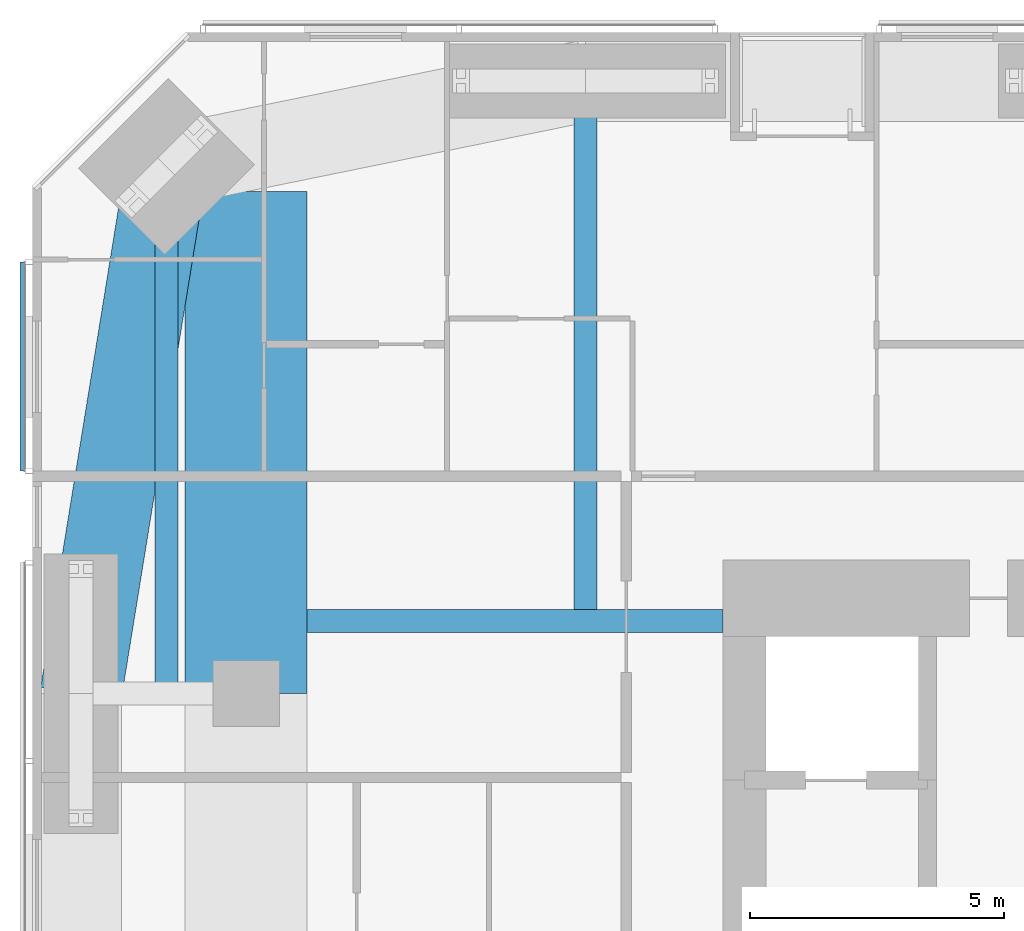
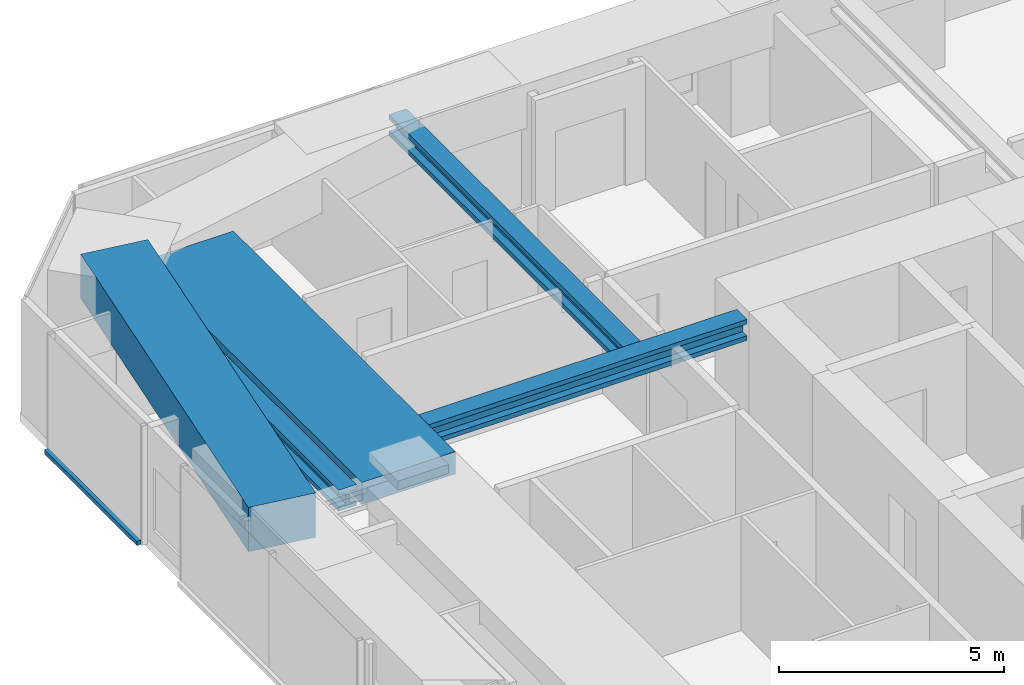
# One storey, part 7 of 24: 5 beams, 1 member, 1 element without a shape of its own.
"""IFC4 building model written with IfcOpenShell, lengths in metres."""

from ifc_helpers import new_model, si_unit, direction, frame, origin, origin_2d, place, context, subcontext, project, spatial, rectangle, i_section, extrude, material, material_profile, profile_set, type_object, element, aggregate, save


model = new_model("IFC4")

# Units and contexts
model_context = context("Model", 3, precision=1e-05, world=origin(), true_north=direction((0.0, 1.0)))
body_context = subcontext(model_context, "Body", "Model", "MODEL_VIEW")
ifc_project = project(units=[si_unit("LENGTHUNIT", "METRE"), si_unit("AREAUNIT", "SQUARE_METRE"), si_unit("VOLUMEUNIT", "CUBIC_METRE"), si_unit("PLANEANGLEUNIT", "RADIAN"), si_unit("MASSUNIT", "GRAM", prefix="KILO")], contexts=[model_context])

# Site, building, storey
site_placement = place(None, origin())
site = spatial("IfcSite", under=ifc_project, at=site_placement, CompositionType="ELEMENT")
building_placement = place(site_placement, origin())
building = spatial("IfcBuilding", under=site, at=building_placement, Name="Jalousie Tower", CompositionType="ELEMENT")
storey_placement = place(building_placement, frame((0.0, 0.0, 131.64990234375)))
storey = spatial("IfcBuildingStorey", under=building, at=storey_placement, Name="L36", CompositionType="ELEMENT", Elevation=131.64990234375)

# Beams
ifc_material_1 = material(Name="Steel ASTM A992 Grade 50", Category="steel")
ifc_material_profile_1 = material_profile(ifc_material_1, i_section(OverallWidth=0.45458984375, OverallDepth=0.569091796875, WebThickness=0.077880859375, FlangeThickness=0.124755859375, at=origin_2d()), Name="W14X730")
ifc_profile_set_1 = profile_set([ifc_material_profile_1], Name="Steel ASTM A992 Grade 50")
beam_type_1 = type_object("IfcBeamType", Name="LEAN COLLECTOR W14X730", PredefinedType="BEAM", material=ifc_profile_set_1)
beam_1_placement = place(storey_placement, frame((11.39990234375, 26.425048828125, 2.82568359375), z_axis=(1.0, 0.0, 0.0), x_axis=(0.0, 1.0, 0.0)))
element("IfcBeam", 1, at=beam_1_placement, inside=storey, type_object=beam_type_1, Name="Lean collector under L37", PredefinedType="BEAM", context=body_context, shape_type="SweptSolid", body=[
    extrude(i_section(OverallWidth=0.45458984375, OverallDepth=0.569091796875, WebThickness=0.077880859375, FlangeThickness=0.124755859375, at=origin_2d()), origin(), (0.0, 0.0, 1.0), 8.175048828125),
])
beam_2_placement = place(storey_placement, frame((8.63134765625, 35.36865234375, 2.82568359375), z_axis=(0.0, -1.0, 0.0), x_axis=(1.0, 0.0, 0.0)))
element("IfcBeam", 2, at=beam_2_placement, inside=storey, type_object=beam_type_1, Name="Lean collector under L37", PredefinedType="BEAM", context=body_context, shape_type="SweptSolid", body=[
    extrude(i_section(OverallWidth=0.45458984375, OverallDepth=0.569091796875, WebThickness=0.077880859375, FlangeThickness=0.124755859375, at=origin_2d()), origin(), (0.0, 0.0, 1.0), 10.36865234375),
])
beam_3_placement = place(storey_placement, frame((16.875, 37.050048828125, 2.82568359375), z_axis=(0.0, -1.0, 0.0), x_axis=(1.0, 0.0, 0.0)))
element("IfcBeam", 3, at=beam_3_placement, inside=storey, type_object=beam_type_1, Name="Lean collector under L37", PredefinedType="BEAM", context=body_context, shape_type="SweptSolid", body=[
    extrude(i_section(OverallWidth=0.45458984375, OverallDepth=0.569091796875, WebThickness=0.077880859375, FlangeThickness=0.124755859375, at=origin_2d()), origin(), (0.0, 0.0, 1.0), 10.625),
])
ifc_material_2 = material(Name="Concrete f'c 40 MPa", Category="concrete")
ifc_material_profile_2 = material_profile(ifc_material_2, rectangle(XDim=1.60009765625, YDim=1.199951171875, at=origin_2d()), Name="RC 1600x1200")
ifc_profile_set_2 = profile_set([ifc_material_profile_2], Name="Concrete f'c 40 MPa")
beam_type_2 = type_object("IfcBeamType", Name="RC BEAM 1600x1200", PredefinedType="BEAM", material=ifc_profile_set_2)
beam_4_placement = place(storey_placement, frame((8.63134765625, 35.36865234375, 2.75), z_axis=(-0.160070546476, -0.987105577003, 0.0), x_axis=(0.987105577003, -0.160070546476, 0.0)))
element("IfcBeam", 4, at=beam_4_placement, inside=storey, type_object=beam_type_2, Name="Edge band beam 12-13 under L37", PredefinedType="BEAM", context=body_context, shape_type="SweptSolid", body=[
    extrude(rectangle(XDim=1.60009765625, YDim=1.199951171875, at=origin_2d()), origin(), (0.0, 0.0, 1.0), 10.504150390625),
])
ifc_material_3 = material(Name="Concrete f'c 40 MPa", Category="concrete")
ifc_material_profile_3 = material_profile(ifc_material_3, rectangle(XDim=2.39990234375, YDim=0.60009765625, at=origin_2d()), Name="RC 2400x600")
ifc_profile_set_3 = profile_set([ifc_material_profile_3], Name="Concrete f'c 40 MPa")
beam_type_3 = type_object("IfcBeamType", Name="RC BEAM 2400x600", PredefinedType="BEAM", material=ifc_profile_set_3)
beam_5_placement = place(storey_placement, frame((10.199951171875, 25.0, 2.81005859375), z_axis=(0.0, 1.0, 0.0), x_axis=(-1.0, 0.0, 0.0)))
element("IfcBeam", 5, at=beam_5_placement, inside=storey, type_object=beam_type_3, Name="Floor band beam under L37", PredefinedType="BEAM", context=body_context, shape_type="SweptSolid", body=[
    extrude(rectangle(XDim=2.39990234375, YDim=0.60009765625, at=origin_2d()), origin(), (0.0, 0.0, 1.0), 9.8720703125),
])

# Curtain wall, member
ifc_material_4 = material(Name="Perforated aluminium sheet", Category="aluminium")
curtain_wall_type = type_object("IfcCurtainWallType", Name="SOLAR SCREEN SS-1", PredefinedType="USERDEFINED", material=ifc_material_4)
curtain_wall_placement = place(storey_placement, origin())
curtain_wall = element("IfcCurtainWall", 6, at=curtain_wall_placement, inside=storey, type_object=curtain_wall_type, Name="Solar screen L36", ObjectType="SOLAR SCREEN SS-1", PredefinedType="USERDEFINED")
ifc_material_5 = material(Name="Extruded aluminium screen rail", Category="aluminium")
ifc_material_profile_4 = material_profile(ifc_material_5, rectangle(XDim=0.1015625, YDim=0.1201171875, at=origin_2d()), Name="RAIL 102x120")
ifc_profile_set_4 = profile_set([ifc_material_profile_4], Name="Extruded aluminium screen rail")
member_type = type_object("IfcMemberType", Name="SOLAR SCREEN SS-1 TRANSOM", PredefinedType="USERDEFINED", material=ifc_profile_set_4)
member_placement = place(storey_placement, frame((5.8017578125, 33.486083984375, -0.059814453125), z_axis=(0.0, -1.0, 0.0), x_axis=(1.0, 0.0, 0.0)))
member = element("IfcMember", 7, at=member_placement, type_object=member_type, Name="SS1 rail", ObjectType="TRANSOM", PredefinedType="USERDEFINED", context=body_context, shape_type="SweptSolid", body=[
    extrude(rectangle(XDim=0.1015625, YDim=0.1201171875, at=origin_2d()), origin(), (0.0, 0.0, 1.0), 4.111083984375),
])
aggregate(curtain_wall, [member])

save(model, "model.ifc")
